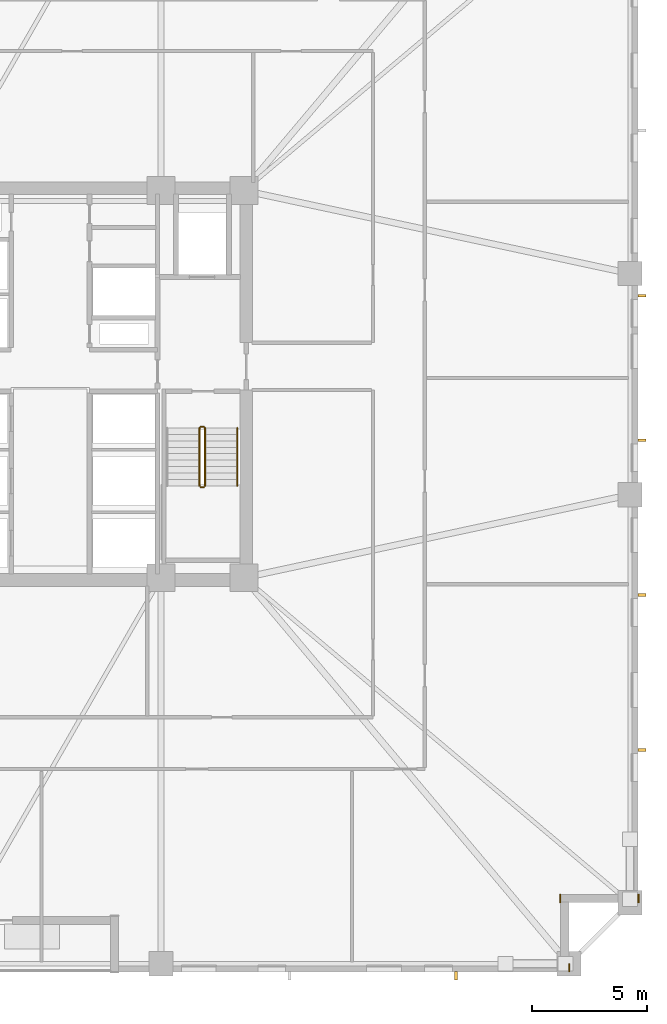
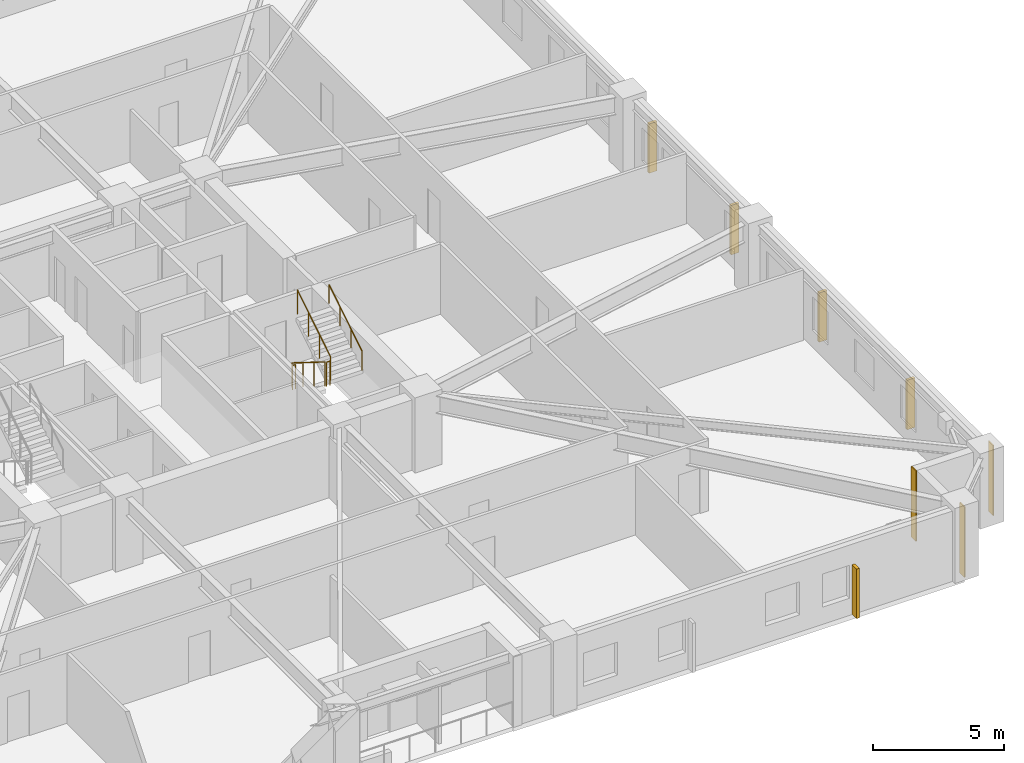
# One storey, part 9 of 11: 5 railings, 5 shading devices, 3 coverings.
"""IFC4 building model written with IfcOpenShell, lengths in metres."""

from ifc_helpers import new_model, si_unit, direction, frame, frame_2d, origin, origin_2d, place, context, subcontext, project, spatial, rectangle, circle, extrude, material, layer, layer_set, type_object, element, save


model = new_model("IFC4")

# Units and contexts
model_context = context("Model", 3, precision=1e-05, world=origin(), true_north=direction((0.0, 1.0)))
body_context = subcontext(model_context, "Body", "Model", "MODEL_VIEW")
ifc_project = project(units=[si_unit("LENGTHUNIT", "METRE"), si_unit("AREAUNIT", "SQUARE_METRE"), si_unit("VOLUMEUNIT", "CUBIC_METRE"), si_unit("PLANEANGLEUNIT", "RADIAN"), si_unit("MASSUNIT", "GRAM", prefix="KILO")], contexts=[model_context])

# Site, building, storey
site_placement = place(None, origin())
site = spatial("IfcSite", under=ifc_project, at=site_placement, CompositionType="ELEMENT")
building_placement = place(site_placement, origin())
building = spatial("IfcBuilding", under=site, at=building_placement, Name="Cairnveth Concourse Tower", CompositionType="ELEMENT")
storey_placement = place(building_placement, frame((0.0, 0.0, 34.0)))
storey = spatial("IfcBuildingStorey", under=building, at=storey_placement, Name="L08", CompositionType="ELEMENT", Elevation=34.0)

# Coverings
ifc_material_1 = material(Name="Dressed Melbourne Bluestone Cladding", Category="masonry")
ifc_layer = layer(ifc_material_1, 0.050048828125)
ifc_layer_set = layer_set([ifc_layer], Name="Dressed Melbourne Bluestone Cladding")
covering_type = type_object("IfcCoveringType", Name="DRESSED BLUESTONE PLINTH CLADDING 50", PredefinedType="CLADDING", material=ifc_layer_set)
for number, where, z_axis, x_axis, name in (
    (1, (77.52001953125, 16.860107421875, 0.0), (0.0, 0.0, 1.0), (0.0, -1.0, 0.0), "Melbourne Bluestone Corner Quoin L08-81"),
    (2, (74.1201171875, 16.860107421875, 0.0), (0.0, 0.0, 1.0), (0.0, -1.0, 0.0), "Melbourne Bluestone Corner Quoin L08-82"),
    (3, (74.52001953125, 13.860107421875, 0.0), (0.0, 0.0, 1.0), (0.0, -1.0, 0.0), "Melbourne Bluestone Corner Quoin L08-83"),
):
    element("IfcCovering", number, at=place(storey_placement, frame(where, z_axis=z_axis, x_axis=x_axis)), inside=storey, type_object=covering_type, Name=name, PredefinedType="CLADDING", context=body_context, shape_type="SweptSolid", body=[
        extrude(rectangle(XDim=0.360107421875, YDim=0.050048828125, at=frame_2d((0.18017578125, 0.0))), origin(), (0.0, 0.0, 1.0), 3.280029296875),
    ])

# Shading devices
ifc_material_2 = material(Name="Architectural Bronze Anodised Aluminium 6063-T6", Category="aluminium")
shading_device_type = type_object("IfcShadingDeviceType", Name="GOTHIC BRONZE VERTICAL LANCET FIN", PredefinedType="USERDEFINED", material=ifc_material_2)
for number, where, z_axis, x_axis, name in (
    (4, (77.675048828125, 42.839111328125, 0.02978515625), (0.0, 0.0, 1.0), (0.0, 1.0, 0.0), "Gothic Bronze Vertical Fin L08-9-5"),
    (5, (77.675048828125, 36.56884765625, 0.02978515625), (0.0, 0.0, 1.0), (0.0, 1.0, 0.0), "Gothic Bronze Vertical Fin L08-9-7"),
    (6, (77.675048828125, 29.848388671875, 0.02978515625), (0.0, 0.0, 1.0), (0.0, 1.0, 0.0), "Gothic Bronze Vertical Fin L08-9-9"),
    (7, (77.675048828125, 23.128173828125, 0.02978515625), (0.0, 0.0, 1.0), (0.0, 1.0, 0.0), "Gothic Bronze Vertical Fin L08-9-11"),
    (8, (69.602294921875, 13.324951171875, 0.02978515625), (0.0, 0.0, 1.0), (1.0, 0.0, 0.0), "Gothic Bronze Vertical Fin L08-12-1"),
):
    element("IfcShadingDevice", number, at=place(storey_placement, frame(where, z_axis=z_axis, x_axis=x_axis)), inside=storey, type_object=shading_device_type, Name=name, ObjectType="VERTICAL FIN", PredefinedType="USERDEFINED", context=body_context, shape_type="SweptSolid", body=[
        extrude(rectangle(XDim=0.1201171875, YDim=0.360107421875, at=origin_2d()), origin(), (0.0, 0.0, 1.0), 2.303955078125),
    ])

# Railings
ifc_material_3 = material(Name="Steel Grade 350", Category="steel")
railing_type_1 = type_object("IfcRailingType", Name="STAIR GUARDRAIL 1150", PredefinedType="GUARDRAIL", material=ifc_material_3)
railing_1_placement = place(storey_placement, frame((58.469970703125, 37.10009765625, 0.175048828125)))
element("IfcRailing", 9, at=railing_1_placement, inside=storey, type_object=railing_type_1, Name="L08 ST-2 stair guard 1", PredefinedType="GUARDRAIL", context=body_context, shape_type="SweptSolid", body=[
    extrude(circle(Radius=0.02392578125, at=origin_2d()), frame((0.0, 0.0, 1.1259765625), z_axis=(0.0, -0.848007534815, 0.529984170421), x_axis=(1.0, 0.0, 0.0)), (0.0, 0.0, 1.0), 2.9716796875),
    extrude(circle(Radius=0.02099609375, at=origin_2d()), origin(), (0.0, 0.0, 1.0), 1.101806640625),
    extrude(circle(Radius=0.02099609375, at=origin_2d()), frame((0.0, -0.840087890625, 0.52490234375)), (0.0, 0.0, 1.0), 1.101806640625),
    extrude(circle(Radius=0.02099609375, at=origin_2d()), frame((0.0, -1.679931640625, 1.050048828125)), (0.0, 0.0, 1.0), 1.101806640625),
    extrude(circle(Radius=0.02099609375, at=origin_2d()), frame((0.0, -2.52001953125, 1.574951171875)), (0.0, 0.0, 1.0), 1.101806640625),
])
railing_2_placement = place(storey_placement, frame((58.52001953125, 34.530029296875, 1.75)))
element("IfcRailing", 10, at=railing_2_placement, inside=storey, type_object=railing_type_1, Name="L08 ST-2 stair guard 2", PredefinedType="GUARDRAIL", context=body_context, shape_type="SweptSolid", body=[
    extrude(circle(Radius=0.02392578125, at=origin_2d()), frame((0.0, 0.0, 1.1259765625), z_axis=(1.0, 0.0, 0.0), x_axis=(0.0, 1.0, 0.0)), (0.0, 0.0, 1.0), 0.139892578125),
    extrude(circle(Radius=0.02099609375, at=origin_2d()), origin(), (0.0, 0.0, 1.0), 1.101806640625),
    extrude(circle(Radius=0.02099609375, at=origin_2d()), frame((0.139892578125, 0.0, 0.0)), (0.0, 0.0, 1.0), 1.101806640625),
])
railing_3_placement = place(storey_placement, frame((58.7099609375, 34.580078125, 1.925048828125)))
element("IfcRailing", 11, at=railing_3_placement, inside=storey, type_object=railing_type_1, Name="L08 ST-2 stair guard 3", PredefinedType="GUARDRAIL", context=body_context, shape_type="SweptSolid", body=[
    extrude(circle(Radius=0.02392578125, at=origin_2d()), frame((0.0, 0.0, 1.1259765625), z_axis=(0.0, 0.848007534815, 0.529984170421), x_axis=(-1.0, 0.0, 0.0)), (0.0, 0.0, 1.0), 2.9716796875),
    extrude(circle(Radius=0.02099609375, at=origin_2d()), origin(), (0.0, 0.0, 1.0), 1.101806640625),
    extrude(circle(Radius=0.02099609375, at=origin_2d()), frame((0.0, 0.840087890625, 0.52490234375)), (0.0, 0.0, 1.0), 1.101806640625),
    extrude(circle(Radius=0.02099609375, at=origin_2d()), frame((0.0, 1.679931640625, 1.050048828125)), (0.0, 0.0, 1.0), 1.101806640625),
    extrude(circle(Radius=0.02099609375, at=origin_2d()), frame((0.0, 2.52001953125, 1.574951171875)), (0.0, 0.0, 1.0), 1.101806640625),
])
railing_4_placement = place(storey_placement, frame((58.52001953125, 37.14990234375, 0.0)))
element("IfcRailing", 12, at=railing_4_placement, inside=storey, type_object=railing_type_1, Name="L08 ST-2 stair guard 4", PredefinedType="GUARDRAIL", context=body_context, shape_type="SweptSolid", body=[
    extrude(circle(Radius=0.02392578125, at=origin_2d()), frame((0.0, 0.0, 1.1259765625), z_axis=(1.0, 0.0, 0.0), x_axis=(0.0, 1.0, 0.0)), (0.0, 0.0, 1.0), 0.139892578125),
    extrude(circle(Radius=0.02099609375, at=origin_2d()), origin(), (0.0, 0.0, 1.0), 1.101806640625),
    extrude(circle(Radius=0.02099609375, at=origin_2d()), frame((0.139892578125, 0.0, 0.0)), (0.0, 0.0, 1.0), 1.101806640625),
])
railing_type_2 = type_object("IfcRailingType", Name="STAIR WALL HANDRAIL 900", PredefinedType="HANDRAIL", material=ifc_material_3)
railing_5_placement = place(storey_placement, frame((60.110107421875, 34.580078125, 1.925048828125)))
element("IfcRailing", 13, at=railing_5_placement, inside=storey, type_object=railing_type_2, Name="L08 ST-2 stair handrail 2", PredefinedType="HANDRAIL", context=body_context, shape_type="SweptSolid", body=[
    extrude(circle(Radius=0.02392578125, at=origin_2d()), frame((0.0, 0.0, 0.8759765625), z_axis=(0.0, 0.848007534815, 0.529984170421), x_axis=(-1.0, 0.0, 0.0)), (0.0, 0.0, 1.0), 2.9716796875),
    extrude(circle(Radius=0.02099609375, at=origin_2d()), origin(), (0.0, 0.0, 1.0), 0.851806640625),
    extrude(circle(Radius=0.02099609375, at=origin_2d()), frame((0.0, 0.840087890625, 0.52490234375)), (0.0, 0.0, 1.0), 0.851806640625),
    extrude(circle(Radius=0.02099609375, at=origin_2d()), frame((0.0, 1.679931640625, 1.050048828125)), (0.0, 0.0, 1.0), 0.851806640625),
    extrude(circle(Radius=0.02099609375, at=origin_2d()), frame((0.0, 2.52001953125, 1.574951171875)), (0.0, 0.0, 1.0), 0.851806640625),
])

save(model, "model.ifc")
